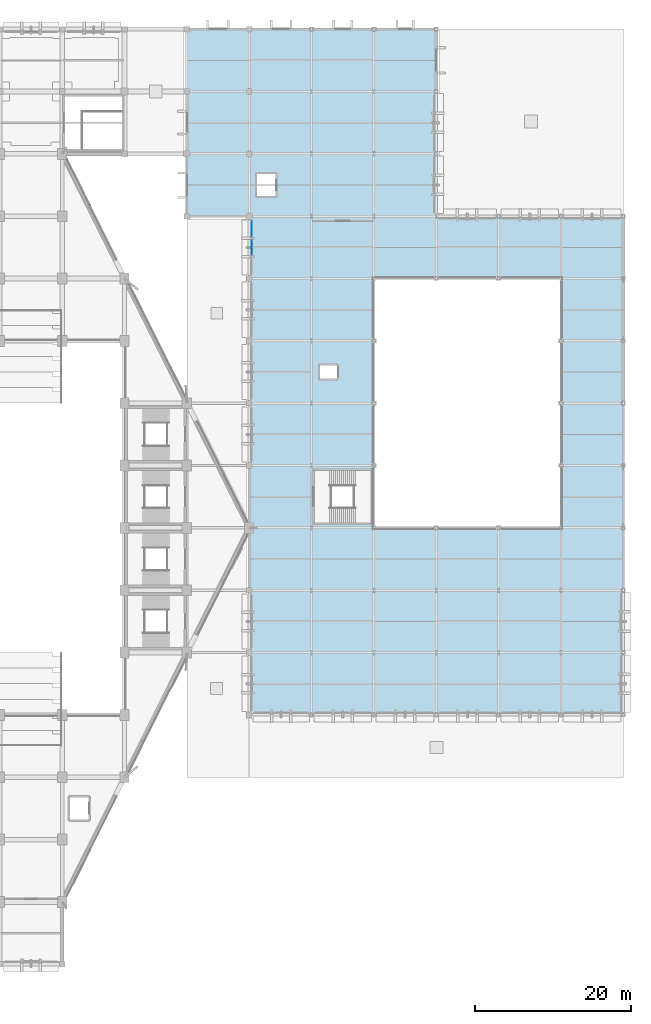
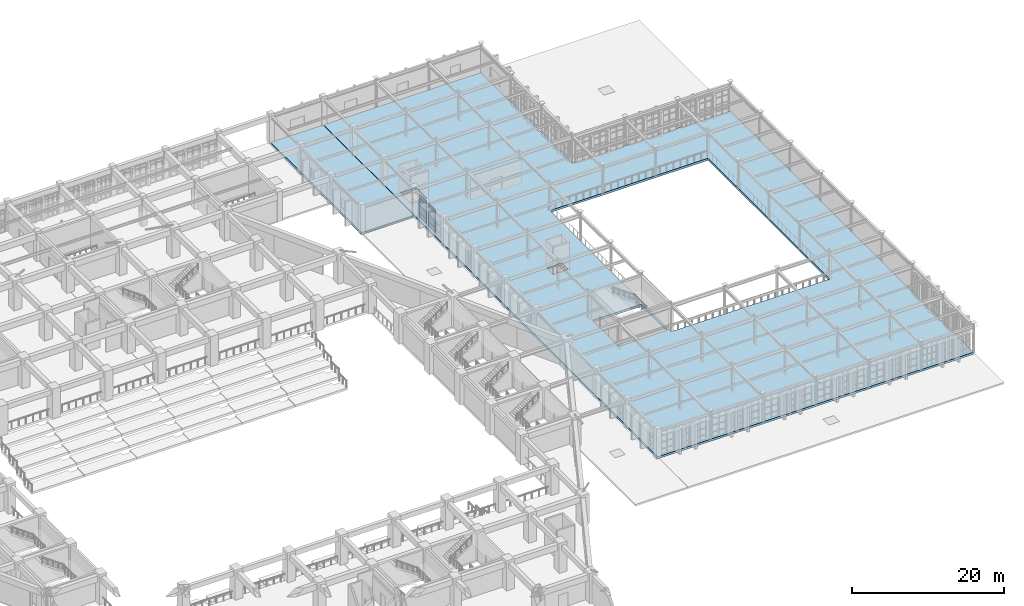
# One storey, part 115 of 155: 8 plates, 2 slabs, 2 elements without a shape of their own.
"""IFC4 building model written with IfcOpenShell, lengths in metres."""

from ifc_helpers import new_model, si_unit, direction, frame, origin, origin_2d, place, context, subcontext, project, spatial, polyline, rectangle, outline, extrude, material, layer, layer_set, type_object, element, aggregate, save


model = new_model("IFC4")

# Units and contexts
model_context = context("Model", 3, precision=1e-05, world=origin(), true_north=direction((0.0, 1.0)))
body_context = subcontext(model_context, "Body", "Model", "MODEL_VIEW")
ifc_project = project(units=[si_unit("LENGTHUNIT", "METRE"), si_unit("AREAUNIT", "SQUARE_METRE"), si_unit("VOLUMEUNIT", "CUBIC_METRE"), si_unit("PLANEANGLEUNIT", "RADIAN"), si_unit("MASSUNIT", "GRAM", prefix="KILO")], contexts=[model_context])

# Site, building, storey
site_placement = place(None, origin())
site = spatial("IfcSite", under=ifc_project, at=site_placement, CompositionType="ELEMENT")
building_placement = place(site_placement, origin())
building = spatial("IfcBuilding", under=site, at=building_placement, Name="Tazarka Park Arena", CompositionType="ELEMENT")
storey_placement = place(building_placement, frame((0.0, 0.0, 5.39990234375)))
storey = spatial("IfcBuildingStorey", under=building, at=storey_placement, Name="L01", CompositionType="ELEMENT", Elevation=5.39990234375)

# Curtain wall, plates
ifc_material_1 = material(Name="Aluminium and low-e glass", Category="aluminium")
ifc_layer_1 = layer(ifc_material_1, 0.179931640625, Name="Aluminium and low-e glass")
ifc_layer_set_1 = layer_set([ifc_layer_1], Name="Aluminium and low-e glass")
curtain_wall_type_1 = type_object("IfcCurtainWallType", Name="CW-30", PredefinedType="NOTDEFINED", material=ifc_layer_set_1)
curtain_wall_1_placement = place(storey_placement, origin())
curtain_wall_1 = element("IfcCurtainWall", 1, at=curtain_wall_1_placement, inside=storey, type_object=curtain_wall_type_1, Name="Curtain Wall CWA-L01-150", PredefinedType="NOTDEFINED")
ifc_material_2 = material(Name="Double low-e insulated glazing", Category="glass")
ifc_layer_2 = layer(ifc_material_2, 0.028076171875, Name="Double low-e insulated glazing")
ifc_layer_set_2 = layer_set([ifc_layer_2], Name="Double low-e insulated glazing")
plate_type_1 = type_object("IfcPlateType", Name="CWP-01", PredefinedType="CURTAIN_PANEL", material=ifc_layer_set_2)
plate_1_placement = place(storey_placement, frame((136.320068359375, 102.376708984375, 0.065185546875), z_axis=(0.0, 0.0, 1.0), x_axis=(0.0, 1.0, 0.0)))
plate_1 = element("IfcPlate", 2, at=plate_1_placement, type_object=plate_type_1, Name="CW-30 panel 1.1", PredefinedType="CURTAIN_PANEL", context=body_context, shape_type="SweptSolid", body=[
    extrude(rectangle(XDim=1.90673828125, YDim=0.028076171875, at=origin_2d()), origin(), (0.0, 0.0, 1.0), 0.75244140625),
])
plate_2_placement = place(storey_placement, frame((136.320068359375, 102.376708984375, 0.8828125), z_axis=(0.0, 0.0, 1.0), x_axis=(0.0, 1.0, 0.0)))
plate_2 = element("IfcPlate", 3, at=plate_2_placement, type_object=plate_type_1, Name="CW-30 panel 1.2", PredefinedType="CURTAIN_PANEL", context=body_context, shape_type="SweptSolid", body=[
    extrude(rectangle(XDim=1.90673828125, YDim=0.028076171875, at=origin_2d()), origin(), (0.0, 0.0, 1.0), 1.034912109375),
])
plate_3_placement = place(storey_placement, frame((136.320068359375, 102.376708984375, 1.982421875), z_axis=(0.0, 0.0, 1.0), x_axis=(0.0, 1.0, 0.0)))
plate_3 = element("IfcPlate", 4, at=plate_3_placement, type_object=plate_type_1, Name="CW-30 panel 1.3", PredefinedType="CURTAIN_PANEL", context=body_context, shape_type="SweptSolid", body=[
    extrude(rectangle(XDim=1.90673828125, YDim=0.028076171875, at=origin_2d()), origin(), (0.0, 0.0, 1.0), 1.034912109375),
])
plate_4_placement = place(storey_placement, frame((136.320068359375, 102.376708984375, 3.08251953125), z_axis=(0.0, 0.0, 1.0), x_axis=(0.0, 1.0, 0.0)))
plate_4 = element("IfcPlate", 5, at=plate_4_placement, type_object=plate_type_1, Name="CW-30 panel 1.4", PredefinedType="CURTAIN_PANEL", context=body_context, shape_type="SweptSolid", body=[
    extrude(rectangle(XDim=1.90673828125, YDim=0.028076171875, at=origin_2d()), origin(), (0.0, 0.0, 1.0), 0.762451171875),
])
aggregate(curtain_wall_1, [plate_1, plate_2, plate_3, plate_4])

ifc_material_3 = material(Name="Aluminium and low-e glass", Category="aluminium")
ifc_layer_3 = layer(ifc_material_3, 0.179931640625, Name="Aluminium and low-e glass")
ifc_layer_set_3 = layer_set([ifc_layer_3], Name="Aluminium and low-e glass")
curtain_wall_type_2 = type_object("IfcCurtainWallType", Name="CW-29", PredefinedType="NOTDEFINED", material=ifc_layer_set_3)
curtain_wall_2_placement = place(storey_placement, origin())
curtain_wall_2 = element("IfcCurtainWall", 6, at=curtain_wall_2_placement, inside=storey, type_object=curtain_wall_type_2, Name="Curtain Wall CWA-L01-149", PredefinedType="NOTDEFINED")
ifc_material_4 = material(Name="Insulated aluminium spandrel panel", Category="aluminium")
ifc_layer_4 = layer(ifc_material_4, 0.035888671875, Name="Insulated aluminium spandrel panel")
ifc_layer_set_4 = layer_set([ifc_layer_4], Name="Insulated aluminium spandrel panel")
plate_type_2 = type_object("IfcPlateType", Name="CWP-03", PredefinedType="CURTAIN_PANEL", material=ifc_layer_set_4)
plate_5_placement = place(storey_placement, frame((136.320068359375, 99.97509765625, 0.0751953125), z_axis=(0.0, 0.0, 1.0), x_axis=(0.0, 1.0, 0.0)))
plate_5 = element("IfcPlate", 7, at=plate_5_placement, type_object=plate_type_2, Name="CW-29 panel 1.1", PredefinedType="CURTAIN_PANEL", context=body_context, shape_type="SweptSolid", body=[
    extrude(rectangle(XDim=1.776611328125, YDim=0.035888671875, at=origin_2d()), origin(), (0.0, 0.0, 1.0), 0.737548828125),
])
plate_6_placement = place(storey_placement, frame((136.320068359375, 99.97509765625, 0.8876953125), z_axis=(0.0, 0.0, 1.0), x_axis=(0.0, 1.0, 0.0)))
plate_6 = element("IfcPlate", 8, at=plate_6_placement, type_object=plate_type_2, Name="CW-29 panel 1.2", PredefinedType="CURTAIN_PANEL", context=body_context, shape_type="SweptSolid", body=[
    extrude(rectangle(XDim=1.776611328125, YDim=0.035888671875, at=origin_2d()), origin(), (0.0, 0.0, 1.0), 1.02490234375),
])
plate_7_placement = place(storey_placement, frame((136.320068359375, 99.97509765625, 1.987548828125), z_axis=(0.0, 0.0, 1.0), x_axis=(0.0, 1.0, 0.0)))
plate_7 = element("IfcPlate", 9, at=plate_7_placement, type_object=plate_type_2, Name="CW-29 panel 1.3", PredefinedType="CURTAIN_PANEL", context=body_context, shape_type="SweptSolid", body=[
    extrude(rectangle(XDim=1.776611328125, YDim=0.035888671875, at=origin_2d()), origin(), (0.0, 0.0, 1.0), 1.02490234375),
])
plate_8_placement = place(storey_placement, frame((136.320068359375, 99.97509765625, 3.087646484375), z_axis=(0.0, 0.0, 1.0), x_axis=(0.0, 1.0, 0.0)))
plate_8 = element("IfcPlate", 10, at=plate_8_placement, type_object=plate_type_2, Name="CW-29 panel 1.4", PredefinedType="CURTAIN_PANEL", context=body_context, shape_type="SweptSolid", body=[
    extrude(rectangle(XDim=1.776611328125, YDim=0.035888671875, at=origin_2d()), origin(), (0.0, 0.0, 1.0), 0.74755859375),
])
aggregate(curtain_wall_2, [plate_5, plate_6, plate_7, plate_8])

# Slabs
ifc_material_5 = material(Name="Concrete C35/45", Category="concrete")
ifc_layer_5 = layer(ifc_material_5, 0.340087890625, Name="Concrete C35/45")
ifc_layer_set_5 = layer_set([ifc_layer_5], Name="Concrete C35/45")
slab_type_1 = type_object("IfcSlabType", Name="SLB-SL-04", PredefinedType="FLOOR", material=ifc_layer_set_5)
slab_1_placement = place(storey_placement, frame((0.0, 0.0, -0.33984375)))
element("IfcSlab", 11, at=slab_1_placement, inside=storey, type_object=slab_type_1, Name="FLR-L01-E-01", PredefinedType="FLOOR", context=body_context, shape_type="SweptSolid", body=[
    extrude(outline(polyline([(159.969970703125, 128.0), (160.0, 127.969970703125), (160.0, 104.0), (183.998779296875, 103.978759765625), (183.978759765625, 40.001220703125), (136.021240234375, 40.021240234375), (136.021240234375, 127.978759765625), (159.969970703125, 128.0)]), holes=[polyline([(152.0, 64.0), (176.0, 64.0), (176.0, 96.0), (152.0, 96.0), (152.0, 64.0)]), polyline([(144.300048828125, 64.60009765625), (151.699951171875, 64.60009765625), (151.699951171875, 71.39990234375), (144.300048828125, 71.39990234375), (144.300048828125, 64.60009765625)]), polyline([(145.110107421875, 83.159912109375), (147.2900390625, 83.159912109375), (147.2900390625, 84.840087890625), (145.110107421875, 84.840087890625), (145.110107421875, 83.159912109375)]), polyline([(137.010009765625, 106.610107421875), (139.389892578125, 106.610107421875), (139.389892578125, 109.389892578125), (137.010009765625, 109.389892578125), (137.010009765625, 106.610107421875)])]), origin(), (0.0, 0.0, 1.0), 0.33984375),
])
ifc_material_6 = material(Name="Concrete C35/45", Category="concrete")
ifc_layer_6 = layer(ifc_material_6, 0.360107421875, Name="Concrete C35/45")
ifc_layer_set_6 = layer_set([ifc_layer_6], Name="Concrete C35/45")
slab_type_2 = type_object("IfcSlabType", Name="SLB-SL-05", PredefinedType="FLOOR", material=ifc_layer_set_6)
slab_2_placement = place(storey_placement, frame((0.0, 0.0, -0.35986328125)))
element("IfcSlab", 12, at=slab_2_placement, inside=storey, type_object=slab_type_2, Name="FLR-L01-BE-02", PredefinedType="FLOOR", context=body_context, shape_type="SweptSolid", body=[
    extrude(outline(polyline([(128.0, 127.969970703125), (128.030029296875, 128.0), (135.978759765625, 127.978759765625), (135.958740234375, 104.001220703125), (128.001220703125, 104.021240234375), (128.0, 127.969970703125)])), origin(), (0.0, 0.0, 1.0), 0.35986328125),
])

save(model, "model.ifc")
